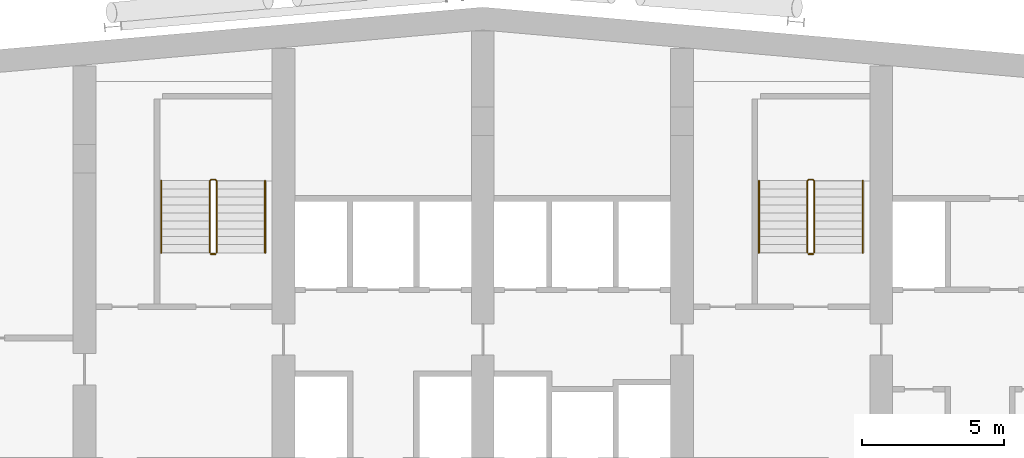
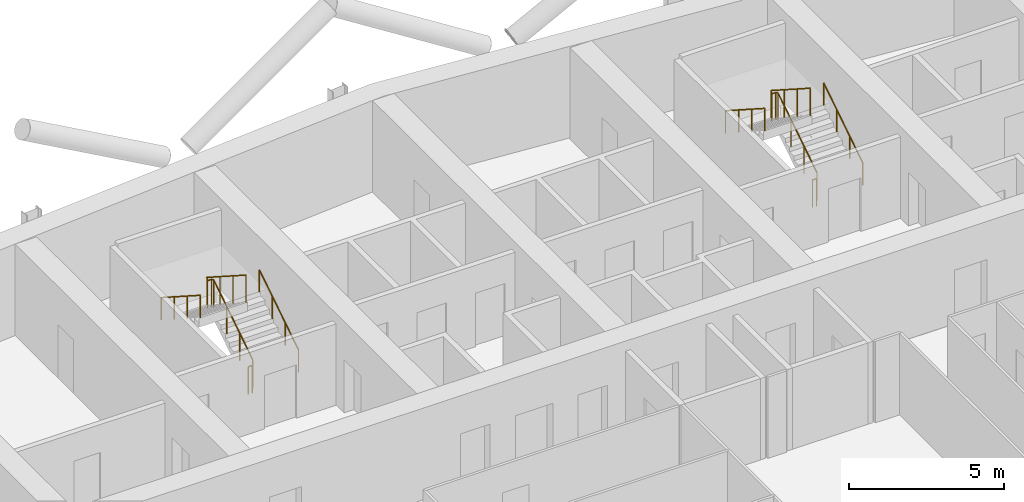
# One storey, part 26 of 26: 8 railings.
"""IFC4 building model written with IfcOpenShell, lengths in metres."""

import ifcopenshell
import ifcopenshell.guid

model = None  # the IFC model being written
_history = None  # IfcOwnerHistory: only IFC2X3 demands one
_inside = {}  # id of a spatial element -> (the spatial element, [elements in it])
_under = {}  # id of a project, library or spatial element -> (it, [spatial elements below it])
_declared = {}  # id of a project -> (the project, [libraries it declares])
_typed = {}  # id of a type object -> (the type object, [elements of that type])
_made_of = {}  # id of a material, layer set ... -> (it, [elements and type objects made of it])


def new_model(schema):
    """Start an empty IFC model of exactly this schema.

    Asked for "IFC4X3", IfcOpenShell would pick the latest addendum, in which some entities
    have other attributes; the version numbers below select the first issue.
    IFC2X3 requires an IfcOwnerHistory on every rooted entity: one is made here for all.
    """
    global model, _history
    if schema == "IFC4X3":
        model = ifcopenshell.file(schema_version=(4, 3, 0, 0))
    else:
        model = ifcopenshell.file(schema=schema)
    _inside.clear()
    _under.clear()
    _declared.clear()
    _typed.clear()
    _made_of.clear()
    _history = None
    if model.schema == "IFC2X3":
        org = make("IfcOrganization", Name="unknown")
        user = make(
            "IfcPersonAndOrganization",
            ThePerson=make("IfcPerson", FamilyName="unknown"),
            TheOrganization=org,
        )
        app = make(
            "IfcApplication",
            ApplicationDeveloper=org,
            Version="unknown",
            ApplicationFullName="unknown",
            ApplicationIdentifier="unknown",
        )
        _history = make(
            "IfcOwnerHistory",
            OwningUser=user,
            OwningApplication=app,
            ChangeAction="ADDED",
            CreationDate=0,
        )
    return model


def make(cls, **values):
    """One entity of the class cls with the attributes given. An attribute that is None is left unset."""
    return model.create_entity(
        cls, **{name: value for name, value in values.items() if value is not None}
    )


def rooted(cls, **values):
    """An entity with a GlobalId (a new one), such as an element, a storey or a relation."""
    return make(cls, GlobalId=ifcopenshell.guid.new(), OwnerHistory=_history, **values)


def si_unit(unit_type, name, prefix=None):
    """IfcSIUnit, for example si_unit("LENGTHUNIT", "METRE", prefix="MILLI")."""
    return make("IfcSIUnit", UnitType=unit_type, Prefix=prefix, Name=name)


def assignment(units):
    """IfcUnitAssignment: the units of a project."""
    return None if units is None else make("IfcUnitAssignment", Units=units)


def point(xyz):
    """IfcCartesianPoint."""
    return None if xyz is None else make("IfcCartesianPoint", Coordinates=xyz)


def direction(xyz):
    """IfcDirection."""
    return None if xyz is None else make("IfcDirection", DirectionRatios=xyz)


def frame(location, z_axis=None, x_axis=None):
    """IfcAxis2Placement3D, a coordinate frame: its origin and axes. An axis left out is left unset."""
    return make(
        "IfcAxis2Placement3D",
        Location=point(location),
        Axis=direction(z_axis),
        RefDirection=direction(x_axis),
    )


def frame_2d(location, x_axis=None):
    """IfcAxis2Placement2D, a coordinate frame in the plane: its origin and x axis."""
    return make(
        "IfcAxis2Placement2D", Location=point(location), RefDirection=direction(x_axis)
    )


def origin():
    """The frame at (0, 0, 0) with its axes left unset."""
    return frame((0.0, 0.0, 0.0))


def origin_2d():
    """The frame at (0, 0) in the plane with its x axis left unset."""
    return frame_2d((0.0, 0.0))


def place(relative_to, where):
    """IfcLocalPlacement: puts the frame where relative to a parent placement (None: the world)."""
    return make(
        "IfcLocalPlacement", PlacementRelTo=relative_to, RelativePlacement=where
    )


def context(
    kind, dimensions, precision=None, world=None, true_north=None, identifier=None
):
    """IfcGeometricRepresentationContext, for example the 3D "Model" context."""
    return make(
        "IfcGeometricRepresentationContext",
        ContextIdentifier=identifier,
        ContextType=kind,
        CoordinateSpaceDimension=dimensions,
        Precision=precision,
        WorldCoordinateSystem=world,
        TrueNorth=true_north,
    )


def subcontext(parent, identifier, kind, view, scale=None):
    """IfcGeometricRepresentationSubContext, for example "Body" below "Model"."""
    return make(
        "IfcGeometricRepresentationSubContext",
        ContextIdentifier=identifier,
        ContextType=kind,
        ParentContext=parent,
        TargetScale=scale,
        TargetView=view,
    )


def project(units=None, contexts=None):
    """IfcProject with its units and contexts."""
    return rooted(
        "IfcProject",
        Name="project",
        RepresentationContexts=contexts,
        UnitsInContext=assignment(units),
    )


def spatial(cls, under=None, at=None, **own):
    """A site, building, storey or space (cls), placed at a placement, below another one or the project."""
    s = rooted(cls, ObjectPlacement=at, **own)
    if under is not None:
        _under.setdefault(under.id(), (under, []))[1].append(s)
    return s


def profile(cls, at=None, kind="AREA", **sizes):
    """A parametric profile (cls). Its sizes go by their IFC names, for example OverallWidth=200.0."""
    return make(cls, ProfileType=kind, Position=at, **sizes)


def circle(**sizes):
    """IfcCircleProfileDef."""
    return profile("IfcCircleProfileDef", **sizes)


def extrude(swept, where, along, depth):
    """IfcExtrudedAreaSolid: the profile swept, set in the frame where, extruded along a direction by depth."""
    return make(
        "IfcExtrudedAreaSolid",
        SweptArea=swept,
        Position=where,
        ExtrudedDirection=direction(along),
        Depth=depth,
    )


def shape(context_of_items, identifier, shape_type, items):
    """IfcShapeRepresentation: the items that make up one representation, for example the "Body"."""
    return make(
        "IfcShapeRepresentation",
        ContextOfItems=context_of_items,
        RepresentationIdentifier=identifier,
        RepresentationType=shape_type,
        Items=items,
    )


def material(Name=None, Category=None):
    """IfcMaterial."""
    return make("IfcMaterial", Name=Name, Category=Category)


def made_of(thing, what):
    """Note that an element or type object is made of a material, layer set ...; save() writes the relation."""
    if what is not None:
        _made_of.setdefault(what.id(), (what, []))[1].append(thing)
    return thing


def type_object(cls, material=None, **own):
    """A type object (cls), such as IfcWallType, which elements share."""
    return made_of(rooted(cls, **own), material)


def element(
    cls,
    number,
    at=None,
    inside=None,
    cuts=None,
    type_object=None,
    material=None,
    context=None,
    identifier="Body",
    shape_type=None,
    held_by="IfcProductDefinitionShape",
    body=None,
    shapes=None,
    **own,
):
    """One element of the class cls, such as IfcWall. Its Tag is "e" and its number.

    at: its placement. inside: the storey or other place that contains it. cuts: it is an
    opening in that element (IfcRelVoidsElement). A single representation is given by context,
    identifier, shape_type and body (its items); several are given by shapes. held_by: the class
    of the entity that holds the representations. save() writes the other relations.
    """
    e = rooted(cls, Tag="e%d" % number, ObjectPlacement=at, **own)
    if body is not None:
        shapes = [shape(context, identifier, shape_type, body)]
    if shapes is not None:
        e.Representation = make(held_by, Representations=shapes)
    if inside is not None:
        _inside.setdefault(inside.id(), (inside, []))[1].append(e)
    if cuts is not None:
        rooted(
            "IfcRelVoidsElement", RelatingBuildingElement=cuts, RelatedOpeningElement=e
        )
    if type_object is not None:
        _typed.setdefault(type_object.id(), (type_object, []))[1].append(e)
    return made_of(e, material)


def aggregate(whole, parts):
    """IfcRelAggregates: a whole, such as a stair, and the parts it consists of."""
    return rooted("IfcRelAggregates", RelatingObject=whole, RelatedObjects=parts)


def save(model, path):
    """Write the relations noted so far, then the file.

    IfcRelAggregates (storeys below a building ...), IfcRelContainedInSpatialStructure (elements
    in a storey), IfcRelDefinesByType, IfcRelAssociatesMaterial and IfcRelDeclares: one each for
    every whole, place, type object, material and project.
    """
    for whole, parts in _under.values():
        aggregate(whole, parts)
    for where, things in _inside.values():
        rooted(
            "IfcRelContainedInSpatialStructure",
            RelatedElements=things,
            RelatingStructure=where,
        )
    for kind, things in _typed.values():
        rooted("IfcRelDefinesByType", RelatedObjects=things, RelatingType=kind)
    for what, things in _made_of.values():
        rooted("IfcRelAssociatesMaterial", RelatedObjects=things, RelatingMaterial=what)
    for by, libraries in _declared.values():
        rooted("IfcRelDeclares", RelatingContext=by, RelatedDefinitions=libraries)
    model.write(path)


model = new_model("IFC4")

# Units and contexts
model_context = context("Model", 3, precision=1e-05, world=origin(), true_north=direction((0.0, 1.0)))
body_context = subcontext(model_context, "Body", "Model", "MODEL_VIEW")
ifc_project = project(units=[si_unit("LENGTHUNIT", "METRE"), si_unit("AREAUNIT", "SQUARE_METRE"), si_unit("VOLUMEUNIT", "CUBIC_METRE"), si_unit("PLANEANGLEUNIT", "RADIAN"), si_unit("MASSUNIT", "GRAM", prefix="KILO")], contexts=[model_context])

# Site, building, storey
site_placement = place(None, origin())
site = spatial("IfcSite", under=ifc_project, at=site_placement, CompositionType="ELEMENT")
building_placement = place(site_placement, origin())
building = spatial("IfcBuilding", under=site, at=building_placement, Name="Wharfspan Tower", CompositionType="ELEMENT")
storey_placement = place(building_placement, frame((0.0, 0.0, 166.300049)))
storey = spatial("IfcBuildingStorey", under=building, at=storey_placement, Name="L40", CompositionType="ELEMENT", Elevation=166.300049)

# Railings
ifc_material = material(Name="Steel S355J2", Category="steel")
railing_type_1 = type_object("IfcRailingType", Name="Stair guard 1100", PredefinedType="GUARDRAIL", material=ifc_material)
railing_1_placement = place(storey_placement, frame((27.649902, 42.0, 0.179932)))
element("IfcRailing", 1, at=railing_1_placement, inside=storey, type_object=railing_type_1, Name="L40 ST1 stair guard 1", PredefinedType="GUARDRAIL", context=body_context, shape_type="SweptSolid", body=[
    extrude(circle(Radius=0.023926, at=origin_2d()), frame((0.0, 0.0, 1.076172), z_axis=(0.0, 0.841163, 0.540782), x_axis=(-1.0, 0.0, 0.0)), (0.0, 0.0, 1.0), 2.99585),
    extrude(circle(Radius=0.023926, at=origin_2d()), frame((0.0, 2.52002, 2.696289), z_axis=(-0.705376, 0.708834, 0.0), x_axis=(-0.708834, -0.705376, 0.0)), (0.0, 0.0, 1.0), 0.070557),
    extrude(circle(Radius=0.023926, at=origin_2d()), frame((-0.049805, 2.570068, 2.696289), z_axis=(-1.0, 0.0, 0.0), x_axis=(0.0, -1.0, 0.0)), (0.0, 0.0, 1.0), 0.150146),
    extrude(circle(Radius=0.023926, at=origin_2d()), frame((-0.199951, 2.570068, 2.696289), z_axis=(-0.258848, -0.258848, 0.930589), x_axis=(0.707107, -0.707107, 0.0)), (0.0, 0.0, 1.0), 0.193359),
    extrude(circle(Radius=0.023926, at=origin_2d()), frame((-0.25, 2.52002, 2.875977), z_axis=(0.0, -0.8412, 0.540725), x_axis=(1.0, 0.0, 0.0)), (0.0, 0.0, 1.0), 2.99585),
    extrude(circle(Radius=0.020996, at=origin_2d()), origin(), (0.0, 0.0, 1.0), 1.052002),
    extrude(circle(Radius=0.020996, at=origin_2d()), frame((0.0, 0.840088, 0.540039)), (0.0, 0.0, 1.0), 1.052002),
    extrude(circle(Radius=0.020996, at=origin_2d()), frame((0.0, 1.679932, 1.080078)), (0.0, 0.0, 1.0), 1.052002),
    extrude(circle(Radius=0.020996, at=origin_2d()), frame((0.0, 2.52002, 1.620117)), (0.0, 0.0, 1.0), 1.052002),
    extrude(circle(Radius=0.020996, at=origin_2d()), frame((-0.049805, 2.570068, 1.620117)), (0.0, 0.0, 1.0), 1.052002),
    extrude(circle(Radius=0.020996, at=origin_2d()), frame((-0.199951, 2.570068, 1.620117)), (0.0, 0.0, 1.0), 1.052002),
    extrude(circle(Radius=0.020996, at=origin_2d()), frame((-0.25, 2.52002, 1.800049)), (0.0, 0.0, 1.0), 1.052002),
    extrude(circle(Radius=0.020996, at=origin_2d()), frame((-0.25, 1.679932, 2.340088)), (0.0, 0.0, 1.0), 1.052002),
    extrude(circle(Radius=0.020996, at=origin_2d()), frame((-0.25, 0.840088, 2.879883)), (0.0, 0.0, 1.0), 1.052002),
    extrude(circle(Radius=0.020996, at=origin_2d()), frame((-0.25, 0.0, 3.419922)), (0.0, 0.0, 1.0), 1.052002),
])
railing_2_placement = place(storey_placement, frame((27.600098, 41.949951, 0.0)))
element("IfcRailing", 2, at=railing_2_placement, inside=storey, type_object=railing_type_1, Name="L40 ST1 stair guard 2", PredefinedType="GUARDRAIL", context=body_context, shape_type="SweptSolid", body=[
    extrude(circle(Radius=0.023926, at=origin_2d()), frame((0.0, 0.0, 1.076172), z_axis=(-1.0, 0.0, 0.0), x_axis=(0.0, -1.0, 0.0)), (0.0, 0.0, 1.0), 0.150146),
    extrude(circle(Radius=0.020996, at=origin_2d()), origin(), (0.0, 0.0, 1.0), 1.052002),
    extrude(circle(Radius=0.020996, at=origin_2d()), frame((-0.150146, 0.0, 0.0)), (0.0, 0.0, 1.0), 1.052002),
])
railing_3_placement = place(storey_placement, frame((48.649902, 42.0, 0.179932)))
element("IfcRailing", 3, at=railing_3_placement, inside=storey, type_object=railing_type_1, Name="L40 ST2 stair guard 1", PredefinedType="GUARDRAIL", context=body_context, shape_type="SweptSolid", body=[
    extrude(circle(Radius=0.023926, at=origin_2d()), frame((0.0, 0.0, 1.076172), z_axis=(0.0, 0.841163, 0.540782), x_axis=(-1.0, 0.0, 0.0)), (0.0, 0.0, 1.0), 2.99585),
    extrude(circle(Radius=0.023926, at=origin_2d()), frame((0.0, 2.52002, 2.696289), z_axis=(-0.705376, 0.708834, 0.0), x_axis=(-0.708834, -0.705376, 0.0)), (0.0, 0.0, 1.0), 0.070557),
    extrude(circle(Radius=0.023926, at=origin_2d()), frame((-0.049805, 2.570068, 2.696289), z_axis=(-1.0, 0.0, 0.0), x_axis=(0.0, -1.0, 0.0)), (0.0, 0.0, 1.0), 0.150146),
    extrude(circle(Radius=0.023926, at=origin_2d()), frame((-0.199951, 2.570068, 2.696289), z_axis=(-0.258848, -0.258848, 0.930589), x_axis=(0.707107, -0.707107, 0.0)), (0.0, 0.0, 1.0), 0.193359),
    extrude(circle(Radius=0.023926, at=origin_2d()), frame((-0.25, 2.52002, 2.875977), z_axis=(0.0, -0.8412, 0.540725), x_axis=(1.0, 0.0, 0.0)), (0.0, 0.0, 1.0), 2.99585),
    extrude(circle(Radius=0.020996, at=origin_2d()), origin(), (0.0, 0.0, 1.0), 1.052002),
    extrude(circle(Radius=0.020996, at=origin_2d()), frame((0.0, 0.840088, 0.540039)), (0.0, 0.0, 1.0), 1.052002),
    extrude(circle(Radius=0.020996, at=origin_2d()), frame((0.0, 1.679932, 1.080078)), (0.0, 0.0, 1.0), 1.052002),
    extrude(circle(Radius=0.020996, at=origin_2d()), frame((0.0, 2.52002, 1.620117)), (0.0, 0.0, 1.0), 1.052002),
    extrude(circle(Radius=0.020996, at=origin_2d()), frame((-0.049805, 2.570068, 1.620117)), (0.0, 0.0, 1.0), 1.052002),
    extrude(circle(Radius=0.020996, at=origin_2d()), frame((-0.199951, 2.570068, 1.620117)), (0.0, 0.0, 1.0), 1.052002),
    extrude(circle(Radius=0.020996, at=origin_2d()), frame((-0.25, 2.52002, 1.800049)), (0.0, 0.0, 1.0), 1.052002),
    extrude(circle(Radius=0.020996, at=origin_2d()), frame((-0.25, 1.679932, 2.340088)), (0.0, 0.0, 1.0), 1.052002),
    extrude(circle(Radius=0.020996, at=origin_2d()), frame((-0.25, 0.840088, 2.879883)), (0.0, 0.0, 1.0), 1.052002),
    extrude(circle(Radius=0.020996, at=origin_2d()), frame((-0.25, 0.0, 3.419922)), (0.0, 0.0, 1.0), 1.052002),
])
railing_4_placement = place(storey_placement, frame((48.600098, 41.949951, 0.0)))
element("IfcRailing", 4, at=railing_4_placement, inside=storey, type_object=railing_type_1, Name="L40 ST2 stair guard 2", PredefinedType="GUARDRAIL", context=body_context, shape_type="SweptSolid", body=[
    extrude(circle(Radius=0.023926, at=origin_2d()), frame((0.0, 0.0, 1.076172), z_axis=(-1.0, 0.0, 0.0), x_axis=(0.0, -1.0, 0.0)), (0.0, 0.0, 1.0), 0.150146),
    extrude(circle(Radius=0.020996, at=origin_2d()), origin(), (0.0, 0.0, 1.0), 1.052002),
    extrude(circle(Radius=0.020996, at=origin_2d()), frame((-0.150146, 0.0, 0.0)), (0.0, 0.0, 1.0), 1.052002),
])
railing_type_2 = type_object("IfcRailingType", Name="Stair handrail 900", PredefinedType="HANDRAIL", material=ifc_material)
railing_5_placement = place(storey_placement, frame((29.350098, 42.0, 0.179932)))
element("IfcRailing", 5, at=railing_5_placement, inside=storey, type_object=railing_type_2, Name="L40 ST1 stair handrail 1", PredefinedType="HANDRAIL", context=body_context, shape_type="SweptSolid", body=[
    extrude(circle(Radius=0.023926, at=origin_2d()), frame((0.0, 0.0, 0.875977), z_axis=(0.0, 0.841163, 0.540782), x_axis=(-1.0, 0.0, 0.0)), (0.0, 0.0, 1.0), 2.99585),
    extrude(circle(Radius=0.020996, at=origin_2d()), origin(), (0.0, 0.0, 1.0), 0.851807),
    extrude(circle(Radius=0.020996, at=origin_2d()), frame((0.0, 0.840088, 0.540039)), (0.0, 0.0, 1.0), 0.851807),
    extrude(circle(Radius=0.020996, at=origin_2d()), frame((0.0, 1.679932, 1.080078)), (0.0, 0.0, 1.0), 0.851807),
    extrude(circle(Radius=0.020996, at=origin_2d()), frame((0.0, 2.52002, 1.620117)), (0.0, 0.0, 1.0), 0.851807),
])
railing_6_placement = place(storey_placement, frame((25.699951, 44.52002, 1.97998)))
element("IfcRailing", 6, at=railing_6_placement, inside=storey, type_object=railing_type_2, Name="L40 ST1 stair handrail 2", PredefinedType="HANDRAIL", context=body_context, shape_type="SweptSolid", body=[
    extrude(circle(Radius=0.023926, at=origin_2d()), frame((0.0, 0.0, 0.875977), z_axis=(0.0, -0.8412, 0.540725), x_axis=(1.0, 0.0, 0.0)), (0.0, 0.0, 1.0), 2.99585),
    extrude(circle(Radius=0.020996, at=origin_2d()), origin(), (0.0, 0.0, 1.0), 0.851807),
    extrude(circle(Radius=0.020996, at=origin_2d()), frame((0.0, -0.840088, 0.540039)), (0.0, 0.0, 1.0), 0.851807),
    extrude(circle(Radius=0.020996, at=origin_2d()), frame((0.0, -1.679932, 1.079834)), (0.0, 0.0, 1.0), 0.851807),
    extrude(circle(Radius=0.020996, at=origin_2d()), frame((0.0, -2.52002, 1.619873)), (0.0, 0.0, 1.0), 0.851807),
])
railing_7_placement = place(storey_placement, frame((50.350098, 42.0, 0.179932)))
element("IfcRailing", 7, at=railing_7_placement, inside=storey, type_object=railing_type_2, Name="L40 ST2 stair handrail 1", PredefinedType="HANDRAIL", context=body_context, shape_type="SweptSolid", body=[
    extrude(circle(Radius=0.023926, at=origin_2d()), frame((0.0, 0.0, 0.875977), z_axis=(0.0, 0.841163, 0.540782), x_axis=(-1.0, 0.0, 0.0)), (0.0, 0.0, 1.0), 2.99585),
    extrude(circle(Radius=0.020996, at=origin_2d()), origin(), (0.0, 0.0, 1.0), 0.851807),
    extrude(circle(Radius=0.020996, at=origin_2d()), frame((0.0, 0.840088, 0.540039)), (0.0, 0.0, 1.0), 0.851807),
    extrude(circle(Radius=0.020996, at=origin_2d()), frame((0.0, 1.679932, 1.080078)), (0.0, 0.0, 1.0), 0.851807),
    extrude(circle(Radius=0.020996, at=origin_2d()), frame((0.0, 2.52002, 1.620117)), (0.0, 0.0, 1.0), 0.851807),
])
railing_8_placement = place(storey_placement, frame((46.699951, 44.52002, 1.97998)))
element("IfcRailing", 8, at=railing_8_placement, inside=storey, type_object=railing_type_2, Name="L40 ST2 stair handrail 2", PredefinedType="HANDRAIL", context=body_context, shape_type="SweptSolid", body=[
    extrude(circle(Radius=0.023926, at=origin_2d()), frame((0.0, 0.0, 0.875977), z_axis=(0.0, -0.8412, 0.540725), x_axis=(1.0, 0.0, 0.0)), (0.0, 0.0, 1.0), 2.99585),
    extrude(circle(Radius=0.020996, at=origin_2d()), origin(), (0.0, 0.0, 1.0), 0.851807),
    extrude(circle(Radius=0.020996, at=origin_2d()), frame((0.0, -0.840088, 0.540039)), (0.0, 0.0, 1.0), 0.851807),
    extrude(circle(Radius=0.020996, at=origin_2d()), frame((0.0, -1.679932, 1.079834)), (0.0, 0.0, 1.0), 0.851807),
    extrude(circle(Radius=0.020996, at=origin_2d()), frame((0.0, -2.52002, 1.619873)), (0.0, 0.0, 1.0), 0.851807),
])

save(model, "model.ifc")
